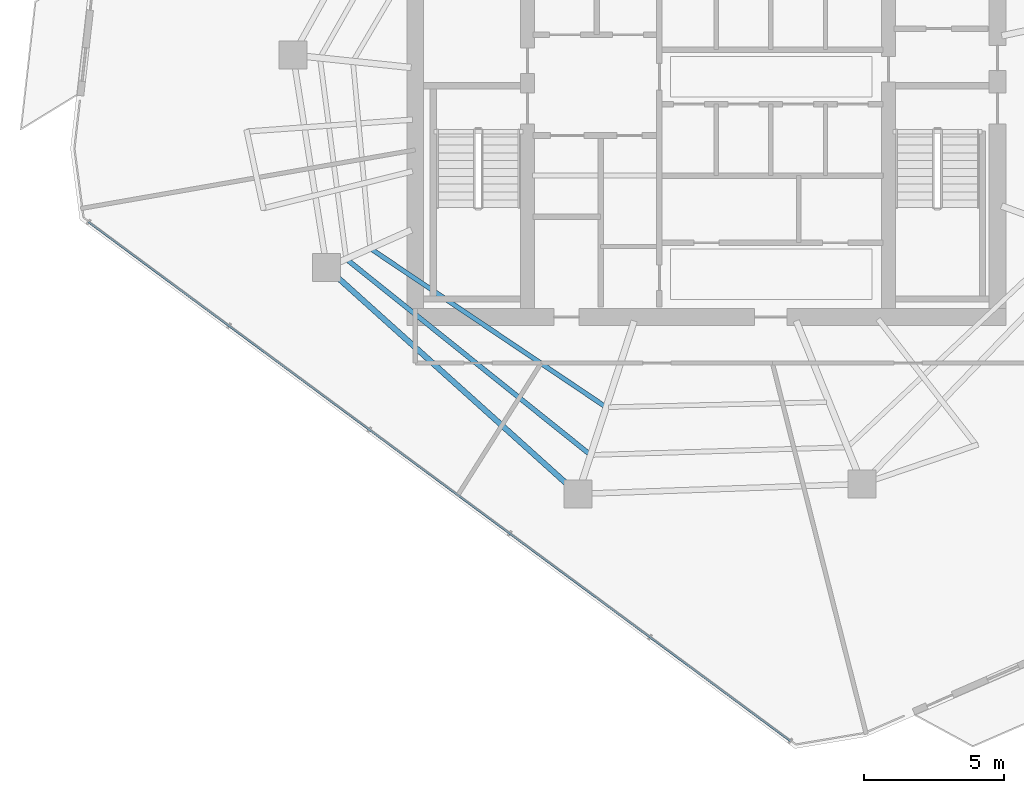
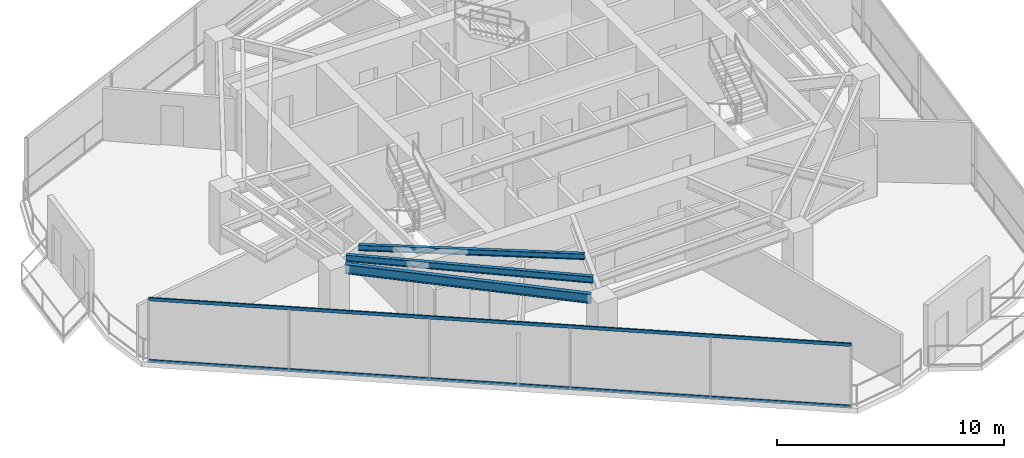
# One storey, part 3 of 22: 3 beams, 2 members, 1 element without a shape of its own.
"""IFC4 building model written with IfcOpenShell, lengths in metres."""

from ifc_helpers import new_model, si_unit, direction, frame, origin, origin_2d, place, context, subcontext, project, spatial, hollow_rectangle, i_section, extrude, material, layer, layer_set, material_profile, profile_set, type_object, element, aggregate, save


model = new_model("IFC4")

# Units and contexts
model_context = context("Model", 3, precision=1e-05, world=origin(), true_north=direction((0.0, 1.0)))
body_context = subcontext(model_context, "Body", "Model", "MODEL_VIEW")
ifc_project = project(units=[si_unit("LENGTHUNIT", "METRE"), si_unit("AREAUNIT", "SQUARE_METRE"), si_unit("VOLUMEUNIT", "CUBIC_METRE"), si_unit("PLANEANGLEUNIT", "RADIAN"), si_unit("MASSUNIT", "GRAM", prefix="KILO")], contexts=[model_context])

# Site, building, storey
site_placement = place(None, origin())
site = spatial("IfcSite", under=ifc_project, at=site_placement, CompositionType="ELEMENT")
building_placement = place(site_placement, origin())
building = spatial("IfcBuilding", under=site, at=building_placement, Name="Qarnah Convention Tower", CompositionType="ELEMENT")
storey_placement = place(building_placement, frame((0.0, 0.0, 154.5)))
storey = spatial("IfcBuildingStorey", under=building, at=storey_placement, Name="L41", CompositionType="ELEMENT", Elevation=154.5)

# Beams
ifc_material_1 = material(Name="Structural steel S355JR", Category="steel")
ifc_material_profile_1 = material_profile(ifc_material_1, i_section(OverallWidth=0.166015625, OverallDepth=0.31201171875, WebThickness=0.007080078125, FlangeThickness=0.010986328125, at=origin_2d()), Name="W310X45")
ifc_profile_set_1 = profile_set([ifc_material_profile_1], Name="Structural steel S355JR")
beam_type_1 = type_object("IfcBeamType", Name="BM-JST-W310", PredefinedType="JOIST", material=ifc_profile_set_1)
beam_1_placement = place(storey_placement, frame((25.260009765625, 21.0009765625, 3.1640625), z_axis=(0.82954788589, -0.558435587168, 0.0), x_axis=(0.558435587168, 0.82954788589, 0.0)))
element("IfcBeam", 1, at=beam_1_placement, inside=storey, type_object=beam_type_1, Name="L41 joist BM-L41-IJST-06", PredefinedType="JOIST", context=body_context, shape_type="SweptSolid", body=[
    extrude(i_section(OverallWidth=0.166015625, OverallDepth=0.31201171875, WebThickness=0.007080078125, FlangeThickness=0.010986328125, at=origin_2d()), origin(), (0.0, 0.0, 1.0), 9.98486328125),
])
ifc_material_profile_2 = material_profile(ifc_material_1, i_section(OverallWidth=0.172119140625, OverallDepth=0.35595703125, WebThickness=0.007080078125, FlangeThickness=0.011962890625, at=origin_2d()), Name="W360X51")
ifc_profile_set_2 = profile_set([ifc_material_profile_2], Name="Structural steel S355JR")
beam_type_2 = type_object("IfcBeamType", Name="BM-JST-W360", PredefinedType="JOIST", material=ifc_profile_set_2)
beam_2_placement = place(storey_placement, frame((24.40087890625, 20.614013671875, 3.14208984375), z_axis=(0.780148110393, -0.625594857596, 0.0), x_axis=(0.625594857596, 0.780148110393, 0.0)))
element("IfcBeam", 2, at=beam_2_placement, inside=storey, type_object=beam_type_2, Name="L41 joist BM-L41-SJST-06", PredefinedType="JOIST", context=body_context, shape_type="SweptSolid", body=[
    extrude(i_section(OverallWidth=0.172119140625, OverallDepth=0.35595703125, WebThickness=0.007080078125, FlangeThickness=0.011962890625, at=origin_2d()), origin(), (0.0, 0.0, 1.0), 11.013427734375),
])
ifc_material_profile_3 = material_profile(ifc_material_1, i_section(OverallWidth=0.199951171875, OverallDepth=0.5, WebThickness=0.010009765625, FlangeThickness=0.01611328125, at=origin_2d()), Name="IPE500")
ifc_profile_set_3 = profile_set([ifc_material_profile_3], Name="Structural steel S355JR")
beam_type_3 = type_object("IfcBeamType", Name="BM-SPN-IPE500", PredefinedType="SPANDREL", material=ifc_profile_set_3)
beam_3_placement = place(storey_placement, frame((23.998046875, 20.031982421875, 3.070068359375), z_axis=(0.743165079224, -0.66910811161, 0.0), x_axis=(0.66910811161, 0.743165079224, 0.0)))
element("IfcBeam", 3, at=beam_3_placement, inside=storey, type_object=beam_type_3, Name="L41 spandrel BM-L41-SPN-06", PredefinedType="SPANDREL", context=body_context, shape_type="SweptSolid", body=[
    extrude(i_section(OverallWidth=0.199951171875, OverallDepth=0.5, WebThickness=0.010009765625, FlangeThickness=0.01611328125, at=origin_2d()), origin(), (0.0, 0.0, 1.0), 11.099853515625),
])

# Curtain wall, members
ifc_material_2 = material(Name="Tempered Low-E dark glass", Category="glass")
ifc_layer = layer(ifc_material_2, 0.172119140625)
ifc_layer_set = layer_set([ifc_layer], Name="Tempered Low-E dark glass")
curtain_wall_type = type_object("IfcCurtainWallType", Name="CWS-03", PredefinedType="NOTDEFINED", material=ifc_layer_set)
curtain_wall_placement = place(storey_placement, origin())
curtain_wall = element("IfcCurtainWall", 4, at=curtain_wall_placement, inside=storey, type_object=curtain_wall_type, Name="L41 unitised curtain wall CW-L41-F2", PredefinedType="NOTDEFINED")
ifc_material_3 = material(Name="Black anodised aluminium", Category="aluminium")
ifc_material_profile_4 = material_profile(ifc_material_3, hollow_rectangle(XDim=0.070068359375, YDim=0.169921875, WallThickness=0.0048828125, at=origin_2d()), Name="TRN-70X170")
ifc_profile_set_4 = profile_set([ifc_material_profile_4], Name="Black anodised aluminium")
member_type = type_object("IfcMemberType", Name="TRN-T3", PredefinedType="USERDEFINED", material=ifc_profile_set_4)
member_1_placement = place(storey_placement, frame((40.196044921875, 3.4541015625, 0.0), z_axis=(-0.804057314116, 0.594551793889, 0.0), x_axis=(-0.594551793889, -0.804057314116, 0.0)))
member_1 = element("IfcMember", 5, at=member_1_placement, type_object=member_type, Name="CW-L41-F2 transom 1", ObjectType="TRANSOM", PredefinedType="USERDEFINED", context=body_context, shape_type="SweptSolid", body=[
    extrude(hollow_rectangle(XDim=0.070068359375, YDim=0.169921875, WallThickness=0.0048828125, at=origin_2d()), origin(), (0.0, 0.0, 1.0), 31.174560546875),
])
member_2_placement = place(storey_placement, frame((40.196044921875, 3.4541015625, 3.320068359375), z_axis=(-0.804057314116, 0.594551793889, 0.0), x_axis=(-0.594551793889, -0.804057314116, 0.0)))
member_2 = element("IfcMember", 6, at=member_2_placement, type_object=member_type, Name="CW-L41-F2 transom 2", ObjectType="TRANSOM", PredefinedType="USERDEFINED", context=body_context, shape_type="SweptSolid", body=[
    extrude(hollow_rectangle(XDim=0.070068359375, YDim=0.169921875, WallThickness=0.0048828125, at=origin_2d()), origin(), (0.0, 0.0, 1.0), 31.174560546875),
])
aggregate(curtain_wall, [member_1, member_2])

save(model, "model.ifc")
